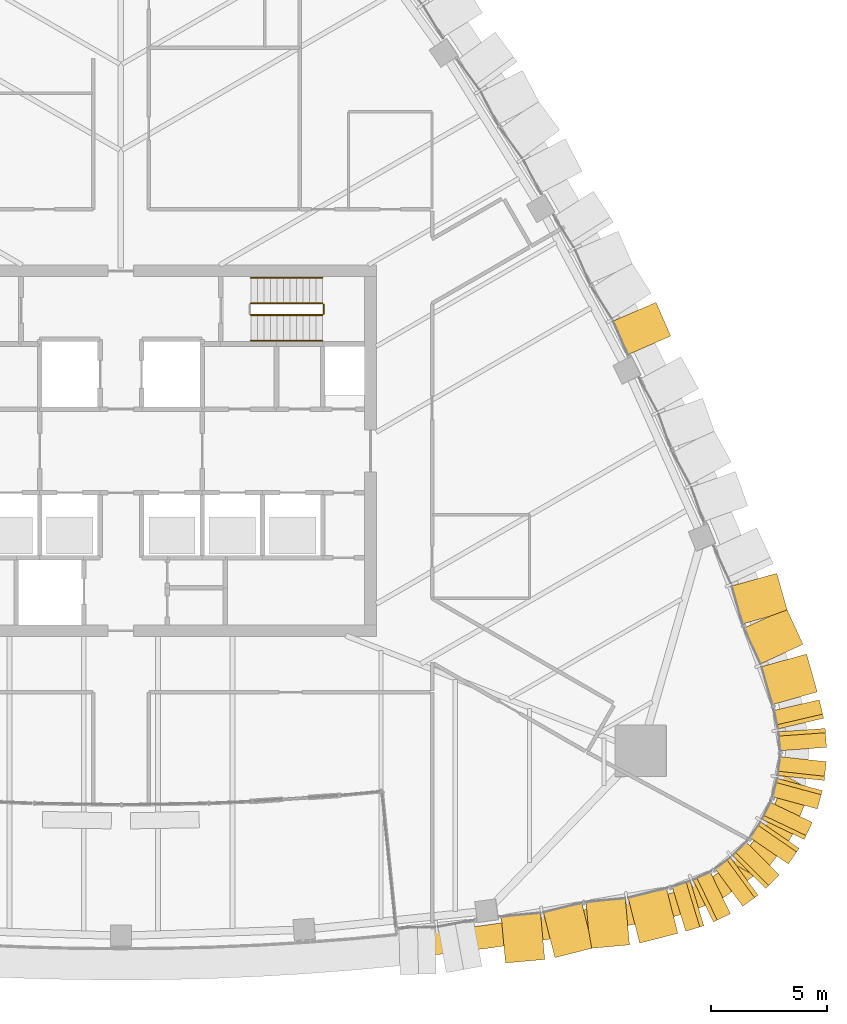
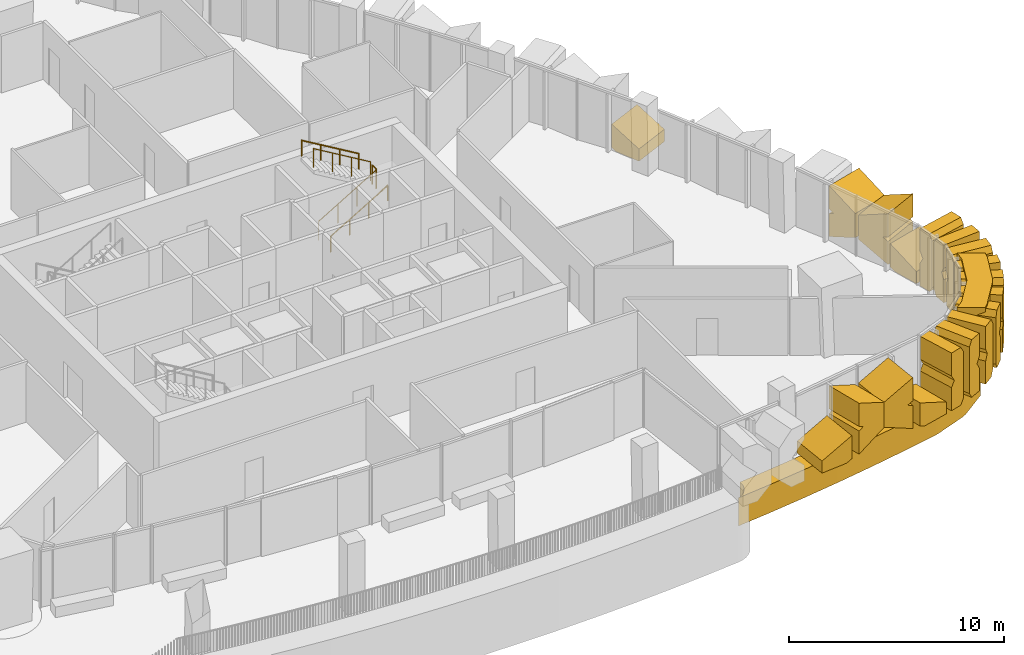
# One storey, part 19 of 22: 20 coverings, 5 railings.
"""IFC4 building model written with IfcOpenShell, lengths in metres."""

from ifc_helpers import new_model, si_unit, direction, frame, origin, origin_2d, place, context, subcontext, project, spatial, polyline, circle, outline, extrude, material, layer, layer_set, type_object, element, save


model = new_model("IFC4")

# Units and contexts
model_context = context("Model", 3, precision=1e-05, world=origin(), true_north=direction((0.0, 1.0)))
body_context = subcontext(model_context, "Body", "Model", "MODEL_VIEW")
ifc_project = project(units=[si_unit("LENGTHUNIT", "METRE"), si_unit("AREAUNIT", "SQUARE_METRE"), si_unit("VOLUMEUNIT", "CUBIC_METRE"), si_unit("PLANEANGLEUNIT", "RADIAN"), si_unit("MASSUNIT", "GRAM", prefix="KILO")], contexts=[model_context])

# Site, building, storey
site_placement = place(None, origin())
site = spatial("IfcSite", under=ifc_project, at=site_placement, CompositionType="ELEMENT")
building_placement = place(site_placement, origin())
building = spatial("IfcBuilding", under=site, at=building_placement, Name="Sierra Prisma Convention Tower", CompositionType="ELEMENT")
storey_placement = place(building_placement, frame((0.0, 0.0, 227.0)))
storey = spatial("IfcBuildingStorey", under=building, at=storey_placement, Name="L50", CompositionType="ELEMENT", Elevation=227.0)

# Coverings
ifc_material_1 = material(Name="Aluminium composite bronze anodised", Category="aluminium")
ifc_layer_1 = layer(ifc_material_1, 1.199951171875)
ifc_layer_set_1 = layer_set([ifc_layer_1], Name="Bronze corner pier")
covering_type_1 = type_object("IfcCoveringType", Name="Bronze corner pier", PredefinedType="CLADDING", material=ifc_layer_set_1)
covering_1_placement = place(storey_placement, frame((0.0, 0.0, -0.60009765625)))
element("IfcCovering", 1, at=covering_1_placement, inside=storey, type_object=covering_type_1, Name="Corner pier SE L50.1", PredefinedType="CLADDING", context=body_context, shape_type="SweptSolid", body=[
    extrude(outline(polyline([(28.935791015625, -16.51220703125), (28.767822265625, -16.80322265625), (27.68798828125, -18.18310546875), (27.465087890625, -18.3974609375), (26.329833984375, -17.741943359375), (26.742919921875, -17.443603515625), (27.822998046875, -16.063720703125), (28.47802734375, -14.438232421875), (28.52978515625, -13.931396484375), (29.665283203125, -14.5869140625), (29.591064453125, -14.886962890625), (28.935791015625, -16.51220703125)])), origin(), (0.0, 0.0, 1.0), 4.0),
])
ifc_material_2 = material(Name="Aluminium 6063-T6 bronze anodised", Category="aluminium")
ifc_layer_2 = layer(ifc_material_2, 2.0)
ifc_layer_set_2 = layer_set([ifc_layer_2], Name="Bronze crystal chevron frame")
covering_type_2 = type_object("IfcCoveringType", Name="Bronze crystal chevron frame", PredefinedType="CLADDING", material=ifc_layer_set_2)
covering_2_placement = place(storey_placement, frame((17.96142578125, -21.929931640625, 0.0), z_axis=(0.091609874734, -0.995794973942, 2.6885562e-05), x_axis=(0.908113277741, 0.083554523806, 0.410303444224)))
element("IfcCovering", 2, at=covering_2_placement, inside=storey, type_object=covering_type_2, Name="CW-2 chevron frame S6.1.1", PredefinedType="CLADDING", context=body_context, shape_type="SweptSolid", body=[
    extrude(outline(polyline([(0.0, 0.0), (0.32369336235363, -1.3877787807814457e-17), (0.8636190372482275, 1.200050150959139), (-0.9979141765505761, 1.199915794759619), (-1.2788959053222544, 0.5753998998727202), (0.0, 0.0)])), origin(), (0.0, 0.0, -1.0), 2.0),
])
covering_3_placement = place(storey_placement, frame((18.6923828125, -21.827880859375, 1.507080078125), z_axis=(0.246220253441, -0.969213901466, 0.0), x_axis=(0.0, 0.0, -1.0)))
element("IfcCovering", 3, at=covering_3_placement, inside=storey, type_object=covering_type_2, Name="CW-2 chevron frame S6.1.2", PredefinedType="CLADDING", context=body_context, shape_type="SweptSolid", body=[
    extrude(outline(polyline([(0.0, 0.0), (1.315673828125, 0.0), (0.552001953125, 1.6975247939140916), (-0.81787109375, 1.6975247939140916), (-1.58154296875, 0.0), (-0.265625, 0.0), (-0.1328125, 0.2952373847763367), (0.0, 0.0)])), origin(), (0.0, 0.0, -1.0), 2.0),
])
covering_4_placement = place(storey_placement, frame((20.21533203125, -21.430908203125, 0.955078125), z_axis=(0.091609874767, -0.995794974302, 0.0), x_axis=(0.908133666079, 0.083545321645, -0.410260190324)))
element("IfcCovering", 4, at=covering_4_placement, inside=storey, type_object=covering_type_2, Name="CW-2 chevron frame S6.2.1", PredefinedType="CLADDING", context=body_context, shape_type="SweptSolid", body=[
    extrude(outline(polyline([(0.0, 0.0), (1.8614330442270757, 0.0), (1.3216644490961953, 1.1998531100611975), (0.9979710877196636, 1.199868461419038), (1.2126890860413804, 1.4420947474237105), (0.6728203297312217, 2.6421705060486604), (-0.562004376930668, 1.2492810912142103), (0.0, 0.0)])), origin(), (0.0, 0.0, -1.0), 2.0),
])
covering_5_placement = place(storey_placement, frame((22.3427734375, -21.2001953125, 0.1328125), z_axis=(0.246228754701, -0.969211738213, 8.2871525e-05), x_axis=(0.883872739928, 0.224513253002, -0.410320336858)))
element("IfcCovering", 5, at=covering_5_placement, inside=storey, type_object=covering_type_2, Name="CW-2 chevron frame S6.2.2", PredefinedType="CLADDING", context=body_context, shape_type="SweptSolid", body=[
    extrude(outline(polyline([(0.0, 0.0), (0.3236800660614117, 0.0), (1.602538903018453, 0.5754117225403331), (1.3215456059272481, 1.199922410181434), (-0.5399479042144721, 1.2000401448789781), (0.0, 0.0)])), origin(), (0.0, 0.0, -1.0), 2.0),
])
covering_6_placement = place(storey_placement, frame((24.32568359375, -20.688232421875, 0.0), z_axis=(0.290069586559, -0.957005556386, 0.0), x_axis=(0.957005556386, 0.290069586559, 0.0)))
element("IfcCovering", 6, at=covering_6_placement, inside=storey, type_object=covering_type_2, Name="CW-2 chevron frame SE1.1.1", PredefinedType="CLADDING", context=body_context, shape_type="SweptSolid", body=[
    extrude(outline(polyline([(0.0, 0.0), (0.6316157098463733, 0.0), (0.8155820784036625, 0.32080078125), (0.8155820784036625, 2.958984375), (0.6316157098463733, 3.280029296875), (0.0, 3.280029296875), (0.0, 1.9697265625), (0.18899333610135985, 1.639892578125), (0.0, 1.310302734375), (0.0, 0.0)])), origin(), (0.0, 0.0, -1.0), 2.0),
])
covering_7_placement = place(storey_placement, frame((25.519287109375, -20.2900390625, 0.32080078125), z_axis=(0.436026723914, -0.899933717578, 0.0), x_axis=(0.447723551275, 0.216926457436, -0.867459816763)))
element("IfcCovering", 7, at=covering_7_placement, inside=storey, type_object=covering_type_2, Name="CW-2 chevron frame SE1.1.2", PredefinedType="CLADDING", context=body_context, shape_type="SweptSolid", body=[
    extrude(outline(polyline([(0.0, 0.0), (0.36981630163258694, 0.0), (0.6841329996081817, 0.5480464935022856), (-0.4525019702561962, 1.1999316068405228), (-0.8324959181277007, 1.199851936360776), (-1.024525643370354, 1.5279997438121231), (-2.161160613234732, 2.1798848571503604), (-2.4754773112103265, 1.6318383636480749), (-2.288518256820285, 1.312515471349542), (0.0, 0.0)])), origin(), (0.0, 0.0, -1.0), 2.0),
])
covering_8_placement = place(storey_placement, frame((26.7822265625, -19.6162109375, 0.0), z_axis=(0.590429409657, -0.807089283916, 0.0), x_axis=(0.807089283916, 0.590429409657, 0.0)))
element("IfcCovering", 8, at=covering_8_placement, inside=storey, type_object=covering_type_2, Name="CW-2 chevron frame SE2.1.1", PredefinedType="CLADDING", context=body_context, shape_type="SweptSolid", body=[
    extrude(outline(polyline([(0.0, 0.0), (0.631881262709101, 0.0), (0.8158293515563446, 0.32080078125), (0.8158293515563446, 2.958984375), (0.631881262709101, 3.280029296875), (0.0, 3.280029296875), (0.0, 1.9697265625), (0.1890275983058512, 1.639892578125), (0.0, 1.310302734375), (0.0, 0.0)])), origin(), (0.0, 0.0, -1.0), 2.0),
])
covering_9_placement = place(storey_placement, frame((27.777099609375, -18.845458984375, 0.32080078125), z_axis=(0.709346053948, -0.70486039451, 0.0), x_axis=(0.350733783799, 0.352965817716, -0.867410482082)))
element("IfcCovering", 9, at=covering_9_placement, inside=storey, type_object=covering_type_2, Name="CW-2 chevron frame SE2.1.2", PredefinedType="CLADDING", context=body_context, shape_type="SweptSolid", body=[
    extrude(outline(polyline([(0.0, 0.0), (0.36983733523715046, 0.0), (0.6841514702857289, 0.5479161306539465), (-0.45241885621192757, 1.1999139440211486), (-0.8323707680018049, 1.1999452402172497), (-1.0244099968622296, 1.528038798484501), (-2.160980323359886, 2.180036611851703), (-2.4752944584084644, 1.6321204811977563), (-2.2883881028756616, 1.3127423833139529), (0.0, 0.0)])), origin(), (0.0, 0.0, -1.0), 2.0),
])
covering_10_placement = place(storey_placement, frame((28.745849609375, -17.79150390625, 0.0), z_axis=(0.824002593711, -0.566586026617, 0.0), x_axis=(0.566586026617, 0.824002593711, 0.0)))
element("IfcCovering", 10, at=covering_10_placement, inside=storey, type_object=covering_type_2, Name="CW-2 chevron frame SE3.1.1", PredefinedType="CLADDING", context=body_context, shape_type="SweptSolid", body=[
    extrude(outline(polyline([(0.0, 0.0), (0.631686680862366, 0.0), (0.8156802951348157, 0.32080078125), (0.8156802951348157, 2.958984375), (0.631686680862366, 3.280029296875), (0.0, 3.280029296875), (0.0, 1.9697265625), (0.18907346691221782, 1.639892578125), (0.0, 1.310302734375), (0.0, 0.0)])), origin(), (0.0, 0.0, -1.0), 2.0),
])
covering_11_placement = place(storey_placement, frame((29.4296875, -16.7353515625, 0.32080078125), z_axis=(0.902540880505, -0.430604179052, 0.0), x_axis=(0.214435848738, 0.449454810582, -0.867183740634)))
element("IfcCovering", 11, at=covering_11_placement, inside=storey, type_object=covering_type_2, Name="CW-2 chevron frame SE3.1.2", PredefinedType="CLADDING", context=body_context, shape_type="SweptSolid", body=[
    extrude(outline(polyline([(0.0, 0.0), (0.3699340361425355, 2.7755575615628914e-17), (0.6844746900009351, 0.5477328154530194), (-0.45179853655762914, 1.2002482637887595), (-0.8318006205253494, 1.200365164375663), (-1.023640158494406, 1.528633623571661), (-2.1599133850529704, 2.1811490719074014), (-2.47445403891137, 1.6334162564543817), (-2.2877899173079643, 1.3137845974876106), (0.0, 0.0)])), origin(), (0.0, 0.0, -1.0), 2.0),
])
covering_12_placement = place(storey_placement, frame((29.99560546875, -15.420166015625, 0.0), z_axis=(0.965114606444, -0.261827799189, 0.0), x_axis=(0.261827799189, 0.965114606444, 0.0)))
element("IfcCovering", 12, at=covering_12_placement, inside=storey, type_object=covering_type_2, Name="CW-2 chevron frame SE4.1.1", PredefinedType="CLADDING", context=body_context, shape_type="SweptSolid", body=[
    extrude(outline(polyline([(0.0, 0.0), (0.6316280743022444, 0.0), (0.8158188305841689, 0.32080078125), (0.8158188305841689, 2.958984375), (0.6316280743022444, 3.280029296875), (0.0, 3.280029296875), (0.0, 1.9697265625), (0.1889872202756705, 1.639892578125), (0.0, 1.310302734375), (0.0, 0.0)])), origin(), (0.0, 0.0, -1.0), 2.0),
])
covering_13_placement = place(storey_placement, frame((30.291259765625, -14.197021484375, 0.32080078125), z_axis=(0.994180592138, -0.107726274496, 0.0), x_axis=(0.05358748305, 0.494546347947, -0.867497718379)))
element("IfcCovering", 13, at=covering_13_placement, inside=storey, type_object=covering_type_2, Name="CW-2 chevron frame SE4.1.2", PredefinedType="CLADDING", context=body_context, shape_type="SweptSolid", body=[
    extrude(outline(polyline([(0.0, 0.0), (0.36980014408503864, 0.0), (0.6840982577459702, 0.5481108478659438), (-0.4525863747101196, 1.1999093612493095), (-0.8325596092862663, 1.1998368495781193), (-1.0246350410533092, 1.5279339158698557), (-2.161319673509399, 2.1797324292532214), (-2.4756177871703304, 1.6316215813872779), (-2.288618248243061, 1.3123411096740545), (0.0, 0.0)])), origin(), (0.0, 0.0, -1.0), 2.0),
])
covering_14_placement = place(storey_placement, frame((30.39013671875, -12.76904296875, 0.0), z_axis=(0.997395392094, 0.072127885247, 0.0), x_axis=(-0.072127885247, 0.997395392094, 0.0)))
element("IfcCovering", 14, at=covering_14_placement, inside=storey, type_object=covering_type_2, Name="CW-2 chevron frame SE5.1.1", PredefinedType="CLADDING", context=body_context, shape_type="SweptSolid", body=[
    extrude(outline(polyline([(0.0, 0.0), (0.6317610580199821, 0.0), (0.8158451323713165, 0.32080078125), (0.8158451323713165, 2.958984375), (0.6317610580199821, 3.280029296875), (0.0, 3.280029296875), (0.0, 1.9697265625), (0.18919767377369015, 1.639892578125), (0.0, 1.310302734375), (0.0, 0.0)])), origin(), (0.0, 0.0, -1.0), 2.0),
])
covering_15_placement = place(storey_placement, frame((30.264892578125, -11.516845703125, 0.32080078125), z_axis=(0.973795761873, 0.22742430424, 0.0), x_axis=(-0.113176329685, 0.48460357199, -0.86738140193)))
element("IfcCovering", 15, at=covering_15_placement, inside=storey, type_object=covering_type_2, Name="CW-2 chevron frame SE5.1.2", PredefinedType="CLADDING", context=body_context, shape_type="SweptSolid", body=[
    extrude(outline(polyline([(0.0, 0.0), (0.36984973454153597, 0.0), (0.6842415029178148, 0.5479772664167303), (-0.4522907197768167, 1.200041498289176), (-0.832240675809566, 1.2000984028752772), (-1.0242626842817915, 1.5281997785737813), (-2.160794906976423, 2.180264010446227), (-2.4751866753527016, 1.6322867440294968), (-2.28831138409506, 1.3128761113496645), (0.0, 0.0)])), origin(), (0.0, 0.0, -1.0), 2.0),
])
covering_16_placement = place(storey_placement, frame((29.611572265625, -9.033447265625, 0.0), z_axis=(0.962469813695, 0.271388743763, 8.6516874e-05), x_axis=(-0.247543940281, 0.877774371591, 0.410163565188)))
element("IfcCovering", 16, at=covering_16_placement, inside=storey, type_object=covering_type_2, Name="CW-2 chevron frame NE1.1.1", PredefinedType="CLADDING", context=body_context, shape_type="SweptSolid", body=[
    extrude(outline(polyline([(0.0, 0.0), (0.32380378524095305, -1.3877787807814457e-17), (0.863545390798496, 1.2001329454471583), (-0.9979251427640504, 1.199684902686987), (-1.2788110803501187, 0.5751259208726492), (0.0, 0.0)])), origin(), (0.0, 0.0, -1.0), 2.0),
])
covering_17_placement = place(storey_placement, frame((29.3779296875, -8.333251953125, 1.507080078125), z_axis=(0.908156625289, 0.418630557824, 0.0), x_axis=(0.0, 0.0, -1.0)))
element("IfcCovering", 17, at=covering_17_placement, inside=storey, type_object=covering_type_2, Name="CW-2 chevron frame NE1.1.2", PredefinedType="CLADDING", context=body_context, shape_type="SweptSolid", body=[
    extrude(outline(polyline([(0.0, 0.0), (1.315673828125, 0.0), (0.552001953125, 1.6976666607725883), (-0.81787109375, 1.6976666607725883), (-1.58154296875, 0.0), (-0.265625, 0.0), (-0.1328125, 0.29516187422511264), (0.0, 0.0)])), origin(), (0.0, 0.0, -1.0), 2.0),
])
covering_18_placement = place(storey_placement, frame((28.710205078125, -6.907958984375, 0.955078125), z_axis=(0.962469817297, 0.271388744779, 0.0), x_axis=(-0.247496305692, 0.877736194679, -0.410273995299)))
element("IfcCovering", 18, at=covering_18_placement, inside=storey, type_object=covering_type_2, Name="CW-2 chevron frame NE1.2.1", PredefinedType="CLADDING", context=body_context, shape_type="SweptSolid", body=[
    extrude(outline(polyline([(0.0, 0.0), (1.8613704103833917, 0.0), (1.3215836524077467, 1.199844939118066), (0.9977798758886789, 1.1998057170085148), (1.2126046224063547, 1.442084926826445), (0.672717699881076, 2.642152512992037), (-0.5620232879943113, 1.2492725836688565), (0.0, 0.0)])), origin(), (0.0, 0.0, -1.0), 2.0),
])
covering_19_placement = place(storey_placement, frame((23.150634765625, 6.161376953125, 0.0), z_axis=(0.91671536372, 0.399540912904, -2.8927609e-05), x_axis=(-0.360138076972, 0.826339987564, 0.432969733892)))
element("IfcCovering", 19, at=covering_19_placement, inside=storey, type_object=covering_type_2, Name="CW-2 chevron frame NE3.1.1", PredefinedType="CLADDING", context=body_context, shape_type="SweptSolid", body=[
    extrude(outline(polyline([(0.0, 0.0), (0.2841927900805813, -1.3877787807814457e-17), (0.860604889424849, 1.2000440241980344), (-0.8938497007202992, 1.1998888365638134), (-1.1945818523128982, 0.5737884791745951), (0.0, 0.0)])), origin(), (0.0, 0.0, -1.0), 2.0),
])
ifc_material_3 = material(Name="Aluminium composite bronze anodised", Category="aluminium")
ifc_layer_3 = layer(ifc_material_3, 1.0)
ifc_layer_set_3 = layer_set([ifc_layer_3], Name="Bronze spandrel band")
covering_type_3 = type_object("IfcCoveringType", Name="Bronze spandrel band", PredefinedType="CLADDING", material=ifc_layer_set_3)
covering_20_placement = place(storey_placement, frame((0.0, 0.0, -1.60009765625)))
element("IfcCovering", 20, at=covering_20_placement, inside=storey, type_object=covering_type_3, Name="Spandrel band L50.2", PredefinedType="CLADDING", context=body_context, shape_type="SweptSolid", body=[
    extrude(outline(polyline([(13.873291015625, -20.660888671875), (15.843505859375, -20.407958984375), (17.809326171875, -20.12158203125), (19.77001953125, -19.8017578125), (21.724853515625, -19.448486328125), (23.673583984375, -19.06201171875), (25.32275390625, -18.4697265625), (26.321044921875, -17.748291015625), (27.27001953125, -18.29638671875), (25.908203125, -19.2802734375), (25.66064453125, -19.410888671875), (24.011474609375, -20.003173828125), (23.867919921875, -20.04296875), (21.91943359375, -20.429443359375), (21.902587890625, -20.4326171875), (19.94775390625, -20.785888671875), (19.930908203125, -20.78857421875), (17.970458984375, -21.1083984375), (17.95361328125, -21.111083984375), (15.98779296875, -21.397705078125), (15.970947265625, -21.39990234375), (14.00048828125, -21.65283203125), (13.983642578125, -21.65478515625), (12.17919921875, -21.855224609375), (12.261474609375, -21.826171875), (12.3525390625, -21.783447265625), (12.43896484375, -21.73193359375), (12.52001953125, -21.672119140625), (12.594482421875, -21.604736328125), (12.662109375, -21.5302734375), (12.72216796875, -21.449462890625), (12.773681640625, -21.363037109375), (12.81689453125, -21.272216796875), (12.8505859375, -21.17724609375), (12.874755859375, -21.07958984375), (12.889404296875, -20.97998046875), (12.89404296875, -20.879638671875), (12.888916015625, -20.779052734375), (12.887939453125, -20.7705078125), (13.873291015625, -20.660888671875)])), origin(), (0.0, 0.0, 1.0), 1.60009765625),
])

# Railings
ifc_material_4 = material(Name="Stainless steel", Category="steel")
railing_type_1 = type_object("IfcRailingType", Name="Exit stair handrail", PredefinedType="HANDRAIL", material=ifc_material_4)
railing_1_placement = place(storey_placement, frame((5.60009765625, 4.75, 0.166748046875)))
element("IfcRailing", 21, at=railing_1_placement, inside=storey, type_object=railing_type_1, Name="L50 S4 stair handrail 1", PredefinedType="HANDRAIL", context=body_context, shape_type="SweptSolid", body=[
    extrude(circle(Radius=0.02392578125, at=origin_2d()), frame((0.0, 0.0, 0.8759765625), z_axis=(0.859290745958, 0.0, 0.51148745235), x_axis=(0.0, 1.0, 0.0)), (0.0, 0.0, 1.0), 3.584228515625),
    extrude(circle(Radius=0.02099609375, at=origin_2d()), origin(), (0.0, 0.0, 1.0), 0.851806640625),
    extrude(circle(Radius=0.02099609375, at=origin_2d()), frame((1.026611328125, 0.0, 0.611083984375)), (0.0, 0.0, 1.0), 0.851806640625),
    extrude(circle(Radius=0.02099609375, at=origin_2d()), frame((2.05322265625, 0.0, 1.22216796875)), (0.0, 0.0, 1.0), 0.851806640625),
    extrude(circle(Radius=0.02099609375, at=origin_2d()), frame((3.079833984375, 0.0, 1.833251953125)), (0.0, 0.0, 1.0), 0.851806640625),
])
railing_2_placement = place(storey_placement, frame((8.679931640625, 7.449951171875, 2.166748046875)))
element("IfcRailing", 22, at=railing_2_placement, inside=storey, type_object=railing_type_1, Name="L50 S4 stair handrail 2", PredefinedType="HANDRAIL", context=body_context, shape_type="SweptSolid", body=[
    extrude(circle(Radius=0.02392578125, at=origin_2d()), frame((0.0, 0.0, 0.8759765625), z_axis=(-0.859290745958, 0.0, 0.51148745235), x_axis=(0.0, -1.0, 0.0)), (0.0, 0.0, 1.0), 3.584228515625),
    extrude(circle(Radius=0.02099609375, at=origin_2d()), origin(), (0.0, 0.0, 1.0), 0.851806640625),
    extrude(circle(Radius=0.02099609375, at=origin_2d()), frame((-1.026611328125, 0.0, 0.611083984375)), (0.0, 0.0, 1.0), 0.851806640625),
    extrude(circle(Radius=0.02099609375, at=origin_2d()), frame((-2.05322265625, 0.0, 1.22216796875)), (0.0, 0.0, 1.0), 0.851806640625),
    extrude(circle(Radius=0.02099609375, at=origin_2d()), frame((-3.079833984375, 0.0, 1.833251953125)), (0.0, 0.0, 1.0), 0.851806640625),
])
ifc_material_5 = material(Name="Stainless steel", Category="steel")
railing_type_2 = type_object("IfcRailingType", Name="Stair guard 1100", PredefinedType="GUARDRAIL", material=ifc_material_5)
railing_3_placement = place(storey_placement, frame((5.60009765625, 5.85009765625, 0.166748046875)))
element("IfcRailing", 23, at=railing_3_placement, inside=storey, type_object=railing_type_2, Name="L50 S4 stair guard 1", PredefinedType="GUARDRAIL", context=body_context, shape_type="SweptSolid", body=[
    extrude(circle(Radius=0.02392578125, at=origin_2d()), frame((0.0, 0.0, 1.076171875), z_axis=(0.859290745958, 0.0, 0.51148745235), x_axis=(0.0, 1.0, 0.0)), (0.0, 0.0, 1.0), 3.584228515625),
    extrude(circle(Radius=0.02099609375, at=origin_2d()), origin(), (0.0, 0.0, 1.0), 1.052001953125),
    extrude(circle(Radius=0.02099609375, at=origin_2d()), frame((1.026611328125, 0.0, 0.611083984375)), (0.0, 0.0, 1.0), 1.052001953125),
    extrude(circle(Radius=0.02099609375, at=origin_2d()), frame((2.05322265625, 0.0, 1.22216796875)), (0.0, 0.0, 1.0), 1.052001953125),
    extrude(circle(Radius=0.02099609375, at=origin_2d()), frame((3.079833984375, 0.0, 1.833251953125)), (0.0, 0.0, 1.0), 1.052001953125),
])
railing_4_placement = place(storey_placement, frame((8.72998046875, 5.89990234375, 2.0)))
element("IfcRailing", 24, at=railing_4_placement, inside=storey, type_object=railing_type_2, Name="L50 S4 stair guard 2", PredefinedType="GUARDRAIL", context=body_context, shape_type="SweptSolid", body=[
    extrude(circle(Radius=0.02392578125, at=origin_2d()), frame((0.0, 0.0, 1.076171875), z_axis=(0.0, 1.0, 0.0), x_axis=(-1.0, 0.0, 0.0)), (0.0, 0.0, 1.0), 0.400146484375),
    extrude(circle(Radius=0.02099609375, at=origin_2d()), origin(), (0.0, 0.0, 1.0), 1.052001953125),
    extrude(circle(Radius=0.02099609375, at=origin_2d()), frame((0.0, 0.400146484375, 0.0)), (0.0, 0.0, 1.0), 1.052001953125),
])
railing_5_placement = place(storey_placement, frame((8.679931640625, 6.35009765625, 2.166748046875)))
element("IfcRailing", 25, at=railing_5_placement, inside=storey, type_object=railing_type_2, Name="L50 S4 stair guard 3", PredefinedType="GUARDRAIL", context=body_context, shape_type="SweptSolid", body=[
    extrude(circle(Radius=0.02392578125, at=origin_2d()), frame((0.0, 0.0, 1.076171875), z_axis=(-0.859290745958, 0.0, 0.51148745235), x_axis=(0.0, -1.0, 0.0)), (0.0, 0.0, 1.0), 3.584228515625),
    extrude(circle(Radius=0.02099609375, at=origin_2d()), origin(), (0.0, 0.0, 1.0), 1.052001953125),
    extrude(circle(Radius=0.02099609375, at=origin_2d()), frame((-1.026611328125, 0.0, 0.611083984375)), (0.0, 0.0, 1.0), 1.052001953125),
    extrude(circle(Radius=0.02099609375, at=origin_2d()), frame((-2.05322265625, 0.0, 1.22216796875)), (0.0, 0.0, 1.0), 1.052001953125),
    extrude(circle(Radius=0.02099609375, at=origin_2d()), frame((-3.079833984375, 0.0, 1.833251953125)), (0.0, 0.0, 1.0), 1.052001953125),
])

save(model, "model.ifc")
